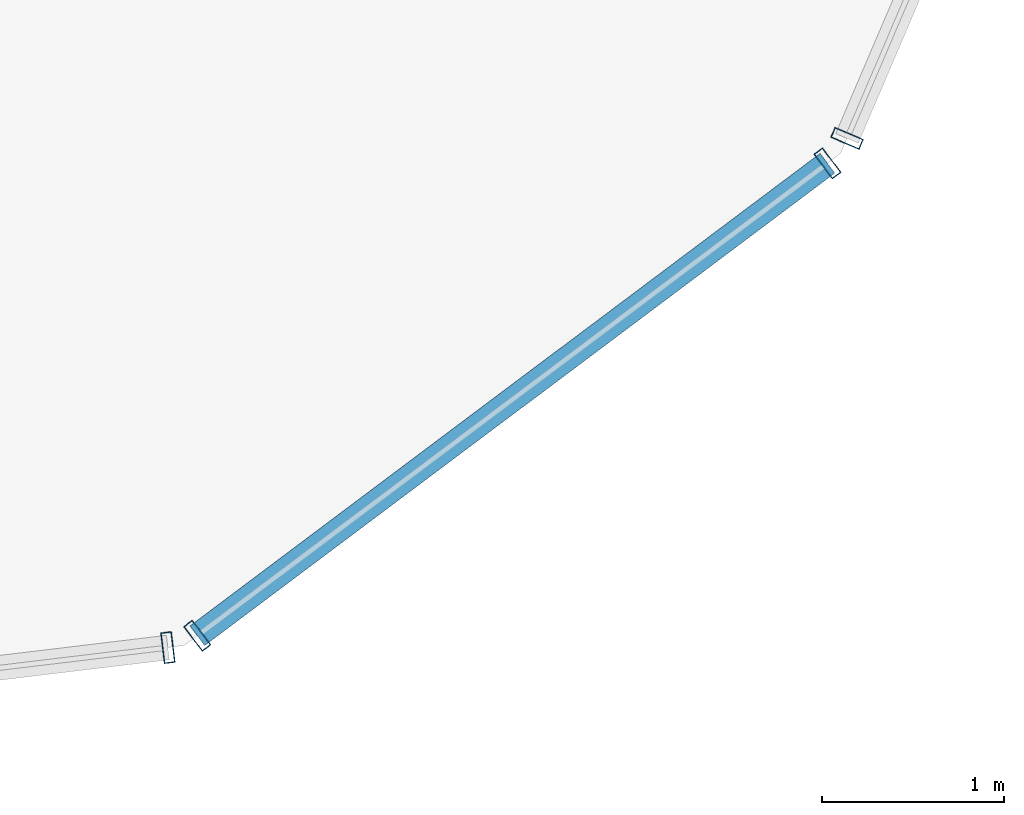
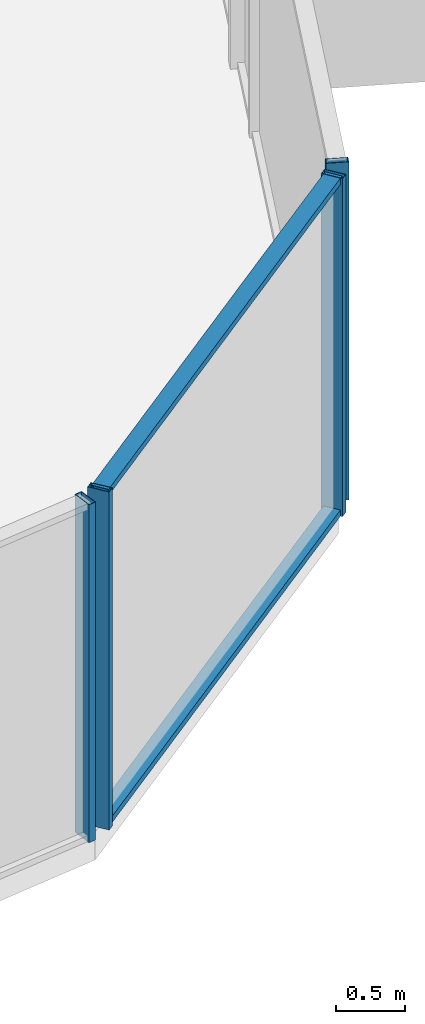
# One storey, part 14 of 37: 6 members, 3 elements without a shape of their own.
"""IFC4 building model written with IfcOpenShell, lengths in metres."""

from ifc_helpers import new_model, si_unit, direction, frame, origin, origin_2d, place, context, subcontext, project, spatial, hollow_rectangle, extrude, source, transform, mapped, material, layer, layer_set, material_profile, profile_set, type_object, element, aggregate, save


model = new_model("IFC4")

# Units and contexts
model_context = context("Model", 3, precision=1e-05, world=origin(), true_north=direction((0.0, 1.0)))
body_context = subcontext(model_context, "Body", "Model", "MODEL_VIEW")
ifc_project = project(units=[si_unit("LENGTHUNIT", "METRE"), si_unit("AREAUNIT", "SQUARE_METRE"), si_unit("VOLUMEUNIT", "CUBIC_METRE"), si_unit("PLANEANGLEUNIT", "RADIAN"), si_unit("MASSUNIT", "GRAM", prefix="KILO")], contexts=[model_context])

# Site, building, storey
site_placement = place(None, origin())
site = spatial("IfcSite", under=ifc_project, at=site_placement, CompositionType="ELEMENT")
building_placement = place(site_placement, origin())
building = spatial("IfcBuilding", under=site, at=building_placement, Name="Veraguas Prism Commons", CompositionType="ELEMENT")
storey_placement = place(building_placement, frame((0.0, 0.0, 46.800048828125)))
storey = spatial("IfcBuildingStorey", under=building, at=storey_placement, Name="L12", CompositionType="ELEMENT", Elevation=46.800048828125)

# Curtain wall, member
ifc_material = material(Name="Anodised aluminium EN AW-6063 T6", Category="aluminium")
ifc_layer = layer(ifc_material, 0.169921875, Name="Unitised Flush Curtain Wall Zone 1", Category="aluminium")
ifc_layer_set = layer_set([ifc_layer], Name="Anodised aluminium EN AW-6063 T6")
curtain_wall_type = type_object("IfcCurtainWallType", Name="Unitised Flush Curtain Wall Zone 1", PredefinedType="NOTDEFINED", material=ifc_layer_set)
curtain_wall_1_placement = place(storey_placement, origin())
curtain_wall_1 = element("IfcCurtainWall", 1, at=curtain_wall_1_placement, inside=storey, type_object=curtain_wall_type, Name="Tower Facade Curtain Wall L12-F5", PredefinedType="NOTDEFINED")
ifc_material_profile_1 = material_profile(ifc_material, hollow_rectangle(XDim=0.06005859375, YDim=0.169921875, WallThickness=0.00390625, at=origin_2d()), Name="AL60X170X4")
ifc_profile_set_1 = profile_set([ifc_material_profile_1], Name="Anodised aluminium EN AW-6063 T6")
member_type_1 = type_object("IfcMemberType", Name="Curtain Wall Mullion Lower AL 60x170x4", PredefinedType="MULLION", material=ifc_profile_set_1)
shared_shape_1 = source(origin(), body_context, "Body", "SweptSolid", [
    extrude(hollow_rectangle(XDim=0.06005859375, YDim=0.169921875, WallThickness=0.00390625, at=origin_2d()), origin(), (0.0, 0.0, 1.0), 3.0),
])
member_1_placement = place(storey_placement, frame((35.727783203125, 4.476318359375, 0.0), z_axis=(0.0, 0.0, 1.0), x_axis=(0.992841388261, 0.119440268573, 0.0)))
member_1 = element("IfcMember", 2, at=member_1_placement, type_object=member_type_1, Name="CW-Z1 Mullion 5", PredefinedType="MULLION", context=body_context, shape_type="MappedRepresentation", body=[
    mapped(shared_shape_1, transform((0.0, 0.0, 0.0), scale=1.0)),
])
aggregate(curtain_wall_1, [member_1])

curtain_wall_2_placement = place(storey_placement, origin())
curtain_wall_2 = element("IfcCurtainWall", 3, at=curtain_wall_2_placement, inside=storey, type_object=curtain_wall_type, Name="Tower Facade Curtain Wall L12-F6", PredefinedType="NOTDEFINED")
member_2_placement = place(storey_placement, frame((39.453125, 7.269287109375, 0.0), z_axis=(0.0, 0.0, 1.0), x_axis=(0.392977572574, 0.919548056087, 0.0)))
member_2 = element("IfcMember", 4, at=member_2_placement, type_object=member_type_1, Name="CW-Z1 Mullion 1", PredefinedType="MULLION", context=body_context, shape_type="MappedRepresentation", body=[
    mapped(shared_shape_1, transform((0.0, 0.0, 0.0), scale=1.0)),
])
aggregate(curtain_wall_2, [member_2])

# Curtain wall, members
curtain_wall_3_placement = place(storey_placement, origin())
curtain_wall_3 = element("IfcCurtainWall", 5, at=curtain_wall_3_placement, inside=storey, type_object=curtain_wall_type, Name="Chamfer Curtain Wall L12-C6", PredefinedType="NOTDEFINED")
member_3_placement = place(storey_placement, frame((35.88916015625, 4.541259765625, 0.0), z_axis=(0.0, 0.0, 1.0), x_axis=(0.800106776826, 0.599857604501, 0.0)))
member_3 = element("IfcMember", 6, at=member_3_placement, type_object=member_type_1, Name="CW-Z1 Mullion 1", PredefinedType="MULLION", context=body_context, shape_type="MappedRepresentation", body=[
    mapped(shared_shape_1, transform((0.0, 0.0, 0.0), scale=1.0)),
])
member_4_placement = place(storey_placement, frame((39.345703125, 7.132568359375, 0.0), z_axis=(0.0, 0.0, 1.0), x_axis=(0.800106776826, 0.599857604501, 0.0)))
member_4 = element("IfcMember", 7, at=member_4_placement, type_object=member_type_1, Name="CW-Z1 Mullion 2", PredefinedType="MULLION", context=body_context, shape_type="MappedRepresentation", body=[
    mapped(shared_shape_1, transform((0.0, 0.0, 0.0), scale=1.0)),
])
ifc_material_profile_2 = material_profile(ifc_material, hollow_rectangle(XDim=0.054931640625, YDim=0.135009765625, WallThickness=0.0029296875, at=origin_2d()), Name="AL55X135X3")
ifc_profile_set_2 = profile_set([ifc_material_profile_2], Name="Anodised aluminium EN AW-6063 T6")
member_type_2 = type_object("IfcMemberType", Name="Curtain Wall Transom Standard AL 55x135x3", PredefinedType="USERDEFINED", material=ifc_profile_set_2)
shared_shape_2 = source(origin(), body_context, "Body", "SweptSolid", [
    extrude(hollow_rectangle(XDim=0.054931640625, YDim=0.135009765625, WallThickness=0.0029296875, at=origin_2d()), origin(), (0.0, 0.0, 1.0), 4.320068359375),
])
member_5_placement = place(storey_placement, frame((35.88916015625, 4.541259765625, 0.02734375), z_axis=(0.800122053201, 0.599837227905, 0.0), x_axis=(0.0, 0.0, 1.0)))
member_5 = element("IfcMember", 8, at=member_5_placement, type_object=member_type_2, Name="CW-Z1 Transom 1", ObjectType="TRANSOM", PredefinedType="USERDEFINED", context=body_context, shape_type="MappedRepresentation", body=[
    mapped(shared_shape_2, transform((0.0, 0.0, 0.0), scale=1.0)),
])
member_6_placement = place(storey_placement, frame((35.88916015625, 4.541259765625, 2.972412109375), z_axis=(0.800122053201, 0.599837227905, 0.0), x_axis=(0.0, 0.0, 1.0)))
member_6 = element("IfcMember", 9, at=member_6_placement, type_object=member_type_2, Name="CW-Z1 Transom 2", ObjectType="TRANSOM", PredefinedType="USERDEFINED", context=body_context, shape_type="MappedRepresentation", body=[
    mapped(shared_shape_2, transform((0.0, 0.0, 0.0), scale=1.0)),
])
aggregate(curtain_wall_3, [member_3, member_4, member_5, member_6])

save(model, "model.ifc")
